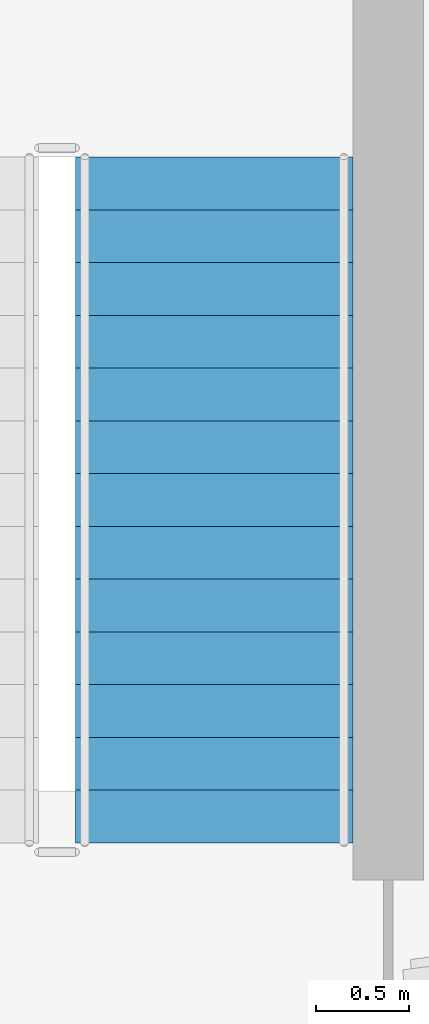
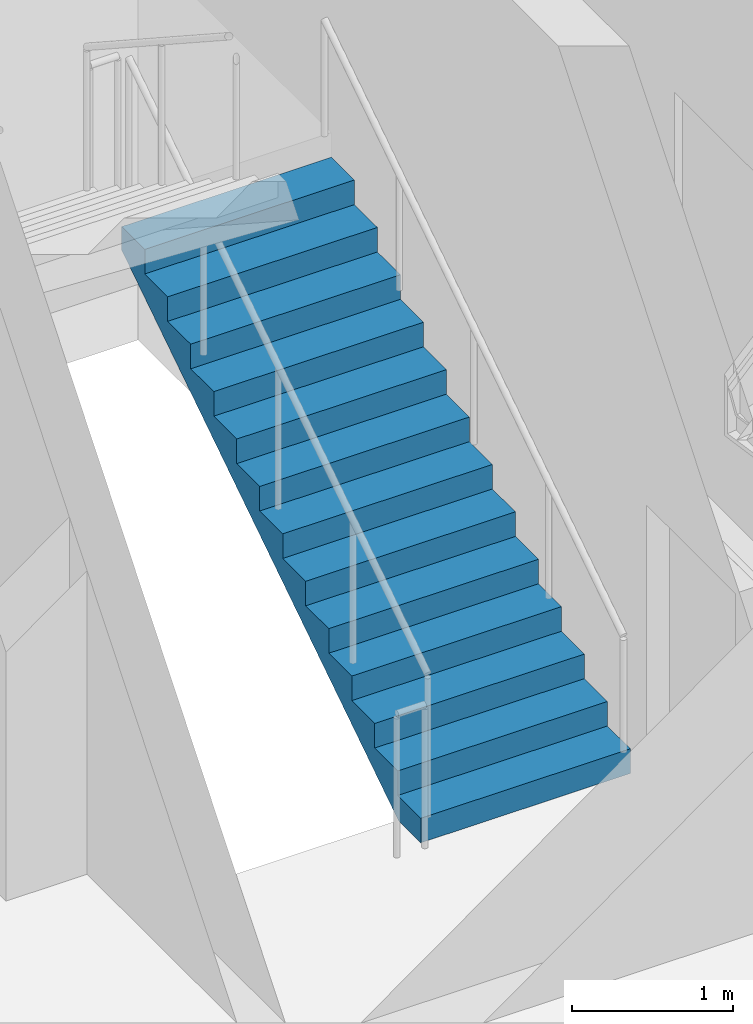
# One storey, part 11 of 13: 1 stair flight, 1 element without a shape of its own.
"""IFC4 building model written with IfcOpenShell, lengths in metres."""

from ifc_helpers import new_model, si_unit, direction, frame, origin, place, context, subcontext, project, spatial, polyline, outline, extrude, material, type_object, element, aggregate, save


model = new_model("IFC4")

# Units and contexts
model_context = context("Model", 3, precision=1e-05, world=origin(), true_north=direction((0.0, 1.0)))
body_context = subcontext(model_context, "Body", "Model", "MODEL_VIEW")
ifc_project = project(units=[si_unit("LENGTHUNIT", "METRE"), si_unit("AREAUNIT", "SQUARE_METRE"), si_unit("VOLUMEUNIT", "CUBIC_METRE"), si_unit("PLANEANGLEUNIT", "RADIAN"), si_unit("MASSUNIT", "GRAM", prefix="KILO")], contexts=[model_context])

# Site, building, storey
site_placement = place(None, origin())
site = spatial("IfcSite", under=ifc_project, at=site_placement, CompositionType="ELEMENT")
building_placement = place(site_placement, origin())
building = spatial("IfcBuilding", under=site, at=building_placement, Name="Kavelnor Concourse Tower", CompositionType="ELEMENT")
storey_placement = place(building_placement, frame((0.0, 0.0, 234.300048828125)))
storey = spatial("IfcBuildingStorey", under=building, at=storey_placement, Name="L59", CompositionType="ELEMENT", Elevation=234.300048828125)

# Stair, stair flight
ifc_material = material(Name="Concrete C40/50", Category="concrete")
stair_type = type_object("IfcStairType", Name="STR-CORE-1500", PredefinedType="HALF_TURN_STAIR", material=ifc_material)
stair_placement = place(storey_placement, origin())
stair = element("IfcStair", 1, at=stair_placement, inside=storey, type_object=stair_type, Name="L59 ST2", PredefinedType="HALF_TURN_STAIR")
stair_flight_type = type_object("IfcStairFlightType", Name="STR-FLIGHT-1500", PredefinedType="STRAIGHT", material=ifc_material)
stair_flight_placement = place(storey_placement, frame((46.77001953125, 11.10009765625, 0.0), z_axis=(0.0, 0.0, 1.0), x_axis=(0.0, 1.0, 0.0)))
stair_flight = element("IfcStairFlight", 2, at=stair_flight_placement, type_object=stair_flight_type, Name="ST2 flight 1", NumberOfRisers=14, NumberOfTreads=13, PredefinedType="STRAIGHT", RiserHeight=0.185714286, TreadLength=0.285, context=body_context, shape_type="SweptSolid", body=[
    extrude(outline(polyline([(0.0, 0.0), (0.0, 0.185791015625), (0.284912109375, 0.185791015625), (0.284912109375, 0.371337890625), (0.570068359375, 0.371337890625), (0.570068359375, 0.55712890625), (0.85498046875, 0.55712890625), (0.85498046875, 0.742919921875), (1.139892578125, 0.742919921875), (1.139892578125, 0.928466796875), (1.425048828125, 0.928466796875), (1.425048828125, 1.1142578125), (1.7099609375, 1.1142578125), (1.7099609375, 1.300048828125), (1.9951171875, 1.300048828125), (1.9951171875, 1.485595703125), (2.280029296875, 1.485595703125), (2.280029296875, 1.67138671875), (2.56494140625, 1.67138671875), (2.56494140625, 1.857177734375), (2.85009765625, 1.857177734375), (2.85009765625, 2.04296875), (3.135009765625, 2.04296875), (3.135009765625, 2.228515625), (3.419921875, 2.228515625), (3.419921875, 2.414306640625), (3.705078125, 2.414306640625), (3.705078125, 2.60009765625), (3.705078125, 2.2353515625), (0.274658203125, 0.0), (0.0, 0.0)])), frame((0.0, 0.75, 0.0), z_axis=(0.0, -1.0, 0.0), x_axis=(1.0, 0.0, 0.0)), (0.0, 0.0, 1.0), 1.5),
])
aggregate(stair, [stair_flight])

save(model, "model.ifc")
